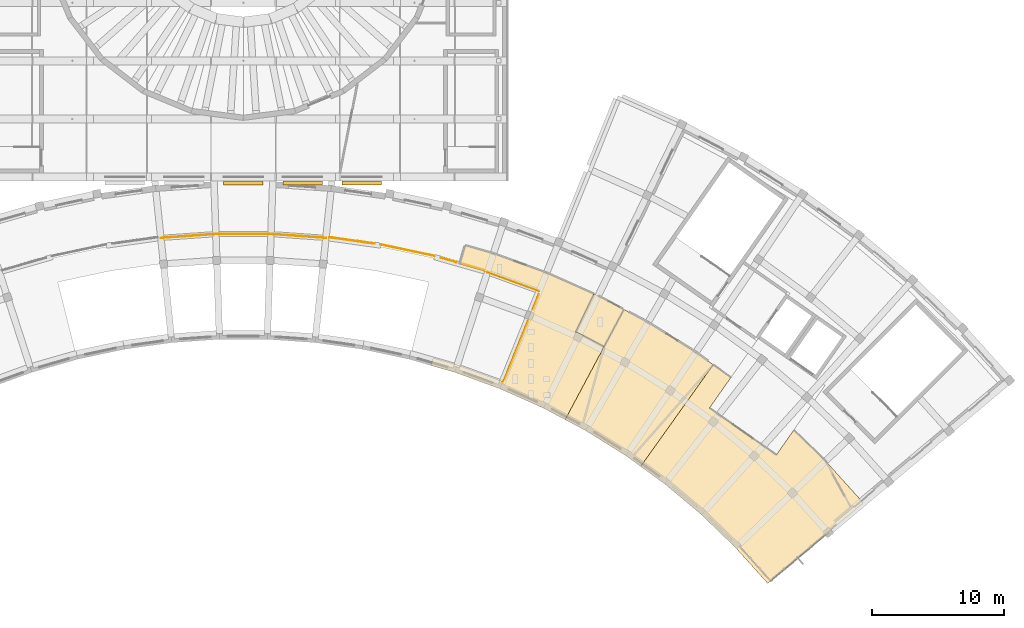
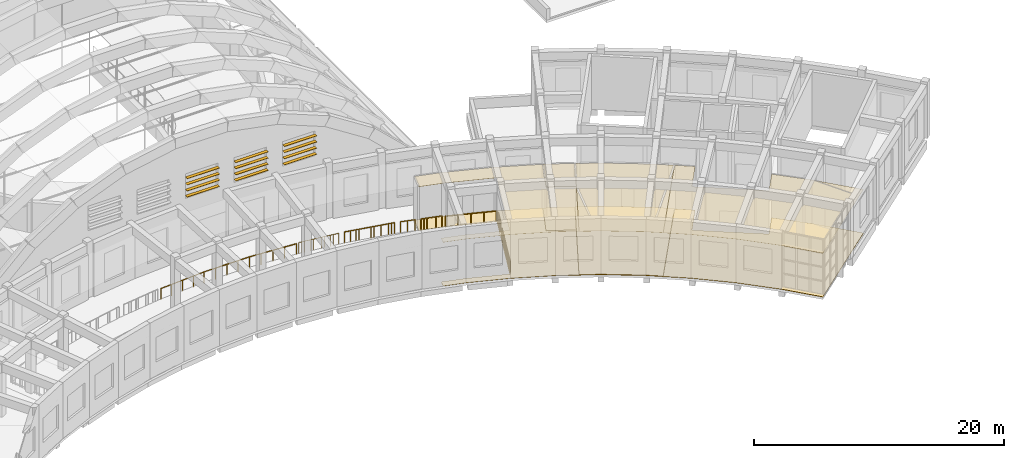
# One storey, part 85 of 94: 12 shading devices, 8 coverings, 8 railings.
"""IFC4 building model written with IfcOpenShell, lengths in metres."""

from ifc_helpers import new_model, si_unit, direction, frame, origin, origin_2d, place, context, subcontext, project, spatial, polyline, rectangle, circle, outline, extrude, material, layer, layer_set, type_object, element, save


model = new_model("IFC4")

# Units and contexts
model_context = context("Model", 3, precision=1e-05, world=origin(), true_north=direction((0.0, 1.0)))
body_context = subcontext(model_context, "Body", "Model", "MODEL_VIEW")
ifc_project = project(units=[si_unit("LENGTHUNIT", "METRE"), si_unit("AREAUNIT", "SQUARE_METRE"), si_unit("VOLUMEUNIT", "CUBIC_METRE"), si_unit("PLANEANGLEUNIT", "RADIAN"), si_unit("MASSUNIT", "GRAM", prefix="KILO")], contexts=[model_context])

# Site, building, storey
site_placement = place(None, origin())
site = spatial("IfcSite", under=ifc_project, at=site_placement, CompositionType="ELEMENT")
building_placement = place(site_placement, origin())
building = spatial("IfcBuilding", under=site, at=building_placement, Name="Lunette Opera House", CompositionType="ELEMENT")
storey_placement = place(building_placement, frame((0.0, 0.0, 22.5)))
storey = spatial("IfcBuildingStorey", under=building, at=storey_placement, Name="L04", CompositionType="ELEMENT", Elevation=22.5)

# Railings
ifc_material_1 = material(Name="Steel S355", Category="steel")
railing_type_1 = type_object("IfcRailingType", Name="DECK GUARD 1100", PredefinedType="GUARDRAIL", material=ifc_material_1)
railing_1_placement = place(storey_placement, frame((102.527099609375, 59.716064453125, 0.0)))
element("IfcRailing", 1, at=railing_1_placement, inside=storey, type_object=railing_type_1, Name="Deck guard 036", PredefinedType="GUARDRAIL", context=body_context, shape_type="SweptSolid", body=[
    extrude(circle(Radius=0.02392578125, at=origin_2d()), frame((0.0, 0.0, 1.076171875), z_axis=(0.990322681068, -0.138783959309, 0.0), x_axis=(0.138783959309, 0.990322681068, 0.0)), (0.0, 0.0, 1.0), 0.246337890625),
    extrude(circle(Radius=0.02392578125, at=origin_2d()), frame((0.243896484375, -0.0341796875, 1.076171875), z_axis=(0.989909818752, -0.141698802884, 0.0), x_axis=(0.141698802884, 0.989909818752, 0.0)), (0.0, 0.0, 1.0), 0.246337890625),
    extrude(circle(Radius=0.02392578125, at=origin_2d()), frame((0.48779296875, -0.069091796875, 1.076171875), z_axis=(0.990467877374, -0.137743906908, 0.0), x_axis=(0.137743906908, 0.990467877374, 0.0)), (0.0, 0.0, 1.0), 0.49267578125),
    extrude(circle(Radius=0.02392578125, at=origin_2d()), frame((0.975830078125, -0.136962890625, 1.076171875), z_axis=(0.989790506483, -0.142529832934, 0.0), x_axis=(0.142529832934, 0.989790506483, 0.0)), (0.0, 0.0, 1.0), 0.24658203125),
    extrude(circle(Radius=0.02392578125, at=origin_2d()), frame((1.219970703125, -0.172119140625, 1.076171875), z_axis=(0.990419611364, -0.138090526201, 0.0), x_axis=(0.138090526201, 0.990419611364, 0.0)), (0.0, 0.0, 1.0), 0.739013671875),
    extrude(circle(Radius=0.02392578125, at=origin_2d()), frame((1.951904296875, -0.274169921875, 1.076171875), z_axis=(0.989909818752, -0.141698802884, 0.0), x_axis=(0.141698802884, 0.989909818752, 0.0)), (0.0, 0.0, 1.0), 0.246337890625),
    extrude(circle(Radius=0.02392578125, at=origin_2d()), frame((2.19580078125, -0.30908203125, 1.076171875), z_axis=(0.990430162502, -0.138014829662, 0.0), x_axis=(0.138014829662, 0.990430162502, 0.0)), (0.0, 0.0, 1.0), 0.49169921875),
    extrude(circle(Radius=0.02392578125, at=origin_2d()), frame((2.682861328125, -0.376953125, 1.076171875), z_axis=(0.989790506483, -0.142529832934, 0.0), x_axis=(0.142529832934, 0.989790506483, 0.0)), (0.0, 0.0, 1.0), 0.24658203125),
    extrude(circle(Radius=0.02392578125, at=origin_2d()), frame((2.927001953125, -0.412109375, 1.076171875), z_axis=(0.990458469485, -0.137811538797, 0.0), x_axis=(0.137811538797, 0.990458469485, 0.0)), (0.0, 0.0, 1.0), 0.492431640625),
    extrude(circle(Radius=0.02099609375, at=origin_2d()), origin(), (0.0, 0.0, 1.0), 1.052001953125),
    extrude(circle(Radius=0.02099609375, at=origin_2d()), frame((0.243896484375, -0.0341796875, 0.0)), (0.0, 0.0, 1.0), 1.052001953125),
    extrude(circle(Radius=0.02099609375, at=origin_2d()), frame((0.48779296875, -0.069091796875, 0.0)), (0.0, 0.0, 1.0), 1.052001953125),
    extrude(circle(Radius=0.02099609375, at=origin_2d()), frame((0.975830078125, -0.136962890625, 0.0)), (0.0, 0.0, 1.0), 1.052001953125),
    extrude(circle(Radius=0.02099609375, at=origin_2d()), frame((1.219970703125, -0.172119140625, 0.0)), (0.0, 0.0, 1.0), 1.052001953125),
    extrude(circle(Radius=0.02099609375, at=origin_2d()), frame((1.951904296875, -0.274169921875, 0.0)), (0.0, 0.0, 1.0), 1.052001953125),
    extrude(circle(Radius=0.02099609375, at=origin_2d()), frame((2.19580078125, -0.30908203125, 0.0)), (0.0, 0.0, 1.0), 1.052001953125),
    extrude(circle(Radius=0.02099609375, at=origin_2d()), frame((2.682861328125, -0.376953125, 0.0)), (0.0, 0.0, 1.0), 1.052001953125),
    extrude(circle(Radius=0.02099609375, at=origin_2d()), frame((2.927001953125, -0.412109375, 0.0)), (0.0, 0.0, 1.0), 1.052001953125),
    extrude(circle(Radius=0.02099609375, at=origin_2d()), frame((3.414794921875, -0.47998046875, 0.0)), (0.0, 0.0, 1.0), 1.052001953125),
])
railing_2_placement = place(storey_placement, frame((106.43603515625, 59.166015625, 0.0)))
element("IfcRailing", 2, at=railing_2_placement, inside=storey, type_object=railing_type_1, Name="Deck guard 037", PredefinedType="GUARDRAIL", context=body_context, shape_type="SweptSolid", body=[
    extrude(circle(Radius=0.02392578125, at=origin_2d()), frame((0.0, 0.0, 1.076171875), z_axis=(0.978307227907, -0.207159281289, 0.0), x_axis=(0.207159281289, 0.978307227907, 0.0)), (0.0, 0.0, 1.0), 0.49267578125),
    extrude(circle(Radius=0.02392578125, at=origin_2d()), frame((0.48193359375, -0.10205078125, 1.076171875), z_axis=(0.978221905778, -0.207561805388, 0.0), x_axis=(0.207561805388, 0.978221905778, 0.0)), (0.0, 0.0, 1.0), 0.49169921875),
    extrude(circle(Radius=0.02392578125, at=origin_2d()), frame((0.962890625, -0.2041015625, 1.076171875), z_axis=(0.977497024317, -0.210949205856, 0.0), x_axis=(0.210949205856, 0.977497024317, 0.0)), (0.0, 0.0, 1.0), 0.24658203125),
    extrude(circle(Radius=0.02392578125, at=origin_2d()), frame((1.203857421875, -0.256103515625, 1.076171875), z_axis=(0.978368028458, -0.206871943217, 0.0), x_axis=(0.206871943217, 0.978368028458, 0.0)), (0.0, 0.0, 1.0), 0.9853515625),
    extrude(circle(Radius=0.02392578125, at=origin_2d()), frame((2.16796875, -0.4599609375, 1.076171875), z_axis=(0.977497024317, -0.210949205856, 0.0), x_axis=(0.210949205856, 0.977497024317, 0.0)), (0.0, 0.0, 1.0), 0.24658203125),
    extrude(circle(Radius=0.02392578125, at=origin_2d()), frame((2.408935546875, -0.511962890625, 1.076171875), z_axis=(0.978315732834, -0.207119112806, 0.0), x_axis=(0.207119112806, 0.978315732834, 0.0)), (0.0, 0.0, 1.0), 1.231689453125),
    extrude(circle(Radius=0.02392578125, at=origin_2d()), frame((3.614013671875, -0.76708984375, 1.076171875), z_axis=(0.977497024317, -0.210949205856, 0.0), x_axis=(0.210949205856, 0.977497024317, 0.0)), (0.0, 0.0, 1.0), 0.24658203125),
    extrude(circle(Radius=0.02392578125, at=origin_2d()), frame((3.85498046875, -0.819091796875, 1.076171875), z_axis=(0.978395032958, -0.206744188512, 0.0), x_axis=(0.206744188512, 0.978395032958, 0.0)), (0.0, 0.0, 1.0), 0.25146484375),
    extrude(circle(Radius=0.02099609375, at=origin_2d()), origin(), (0.0, 0.0, 1.0), 1.052001953125),
    extrude(circle(Radius=0.02099609375, at=origin_2d()), frame((0.48193359375, -0.10205078125, 0.0)), (0.0, 0.0, 1.0), 1.052001953125),
    extrude(circle(Radius=0.02099609375, at=origin_2d()), frame((0.962890625, -0.2041015625, 0.0)), (0.0, 0.0, 1.0), 1.052001953125),
    extrude(circle(Radius=0.02099609375, at=origin_2d()), frame((1.203857421875, -0.256103515625, 0.0)), (0.0, 0.0, 1.0), 1.052001953125),
    extrude(circle(Radius=0.02099609375, at=origin_2d()), frame((2.16796875, -0.4599609375, 0.0)), (0.0, 0.0, 1.0), 1.052001953125),
    extrude(circle(Radius=0.02099609375, at=origin_2d()), frame((2.408935546875, -0.511962890625, 0.0)), (0.0, 0.0, 1.0), 1.052001953125),
    extrude(circle(Radius=0.02099609375, at=origin_2d()), frame((3.011474609375, -0.6396484375, 0.0)), (0.0, 0.0, 1.0), 1.052001953125),
    extrude(circle(Radius=0.02099609375, at=origin_2d()), frame((3.614013671875, -0.76708984375, 0.0)), (0.0, 0.0, 1.0), 1.052001953125),
    extrude(circle(Radius=0.02099609375, at=origin_2d()), frame((3.85498046875, -0.819091796875, 0.0)), (0.0, 0.0, 1.0), 1.052001953125),
    extrude(circle(Radius=0.02099609375, at=origin_2d()), frame((4.10107421875, -0.87109375, 0.0)), (0.0, 0.0, 1.0), 1.052001953125),
])
railing_3_placement = place(storey_placement, frame((111.010986328125, 58.158935546875, 0.0)))
element("IfcRailing", 3, at=railing_3_placement, inside=storey, type_object=railing_type_1, Name="Deck guard 038", PredefinedType="GUARDRAIL", context=body_context, shape_type="SweptSolid", body=[
    extrude(circle(Radius=0.02392578125, at=origin_2d()), frame((0.0, 0.0, 1.076171875), z_axis=(0.961194197038, -0.275872643769, 0.0), x_axis=(0.275872643769, 0.961194197038, 0.0)), (0.0, 0.0, 1.0), 1.23193359375),
    extrude(circle(Radius=0.02099609375, at=origin_2d()), origin(), (0.0, 0.0, 1.0), 1.052001953125),
    extrude(circle(Radius=0.02099609375, at=origin_2d()), frame((0.592041015625, -0.169921875, 0.0)), (0.0, 0.0, 1.0), 1.052001953125),
    extrude(circle(Radius=0.02099609375, at=origin_2d()), frame((1.18408203125, -0.33984375, 0.0)), (0.0, 0.0, 1.0), 1.052001953125),
])
railing_4_placement = place(storey_placement, frame((112.66796875, 57.68310546875, 0.0)))
element("IfcRailing", 4, at=railing_4_placement, inside=storey, type_object=railing_type_1, Name="Deck guard 039", PredefinedType="GUARDRAIL", context=body_context, shape_type="SweptSolid", body=[
    extrude(circle(Radius=0.02392578125, at=origin_2d()), frame((0.0, 0.0, 1.076171875), z_axis=(0.961112004987, -0.276158856222, 0.0), x_axis=(0.276158856222, 0.961112004987, 0.0)), (0.0, 0.0, 1.0), 0.24658203125),
    extrude(circle(Radius=0.02392578125, at=origin_2d()), frame((0.237060546875, -0.068115234375, 1.076171875), z_axis=(0.96241646915, -0.2715778708, 0.0), x_axis=(0.2715778708, 0.96241646915, 0.0)), (0.0, 0.0, 1.0), 0.246337890625),
    extrude(circle(Radius=0.02392578125, at=origin_2d()), frame((0.47412109375, -0.135009765625, 1.076171875), z_axis=(0.961174415791, -0.275941556182, 0.0), x_axis=(0.275941556182, 0.961174415791, 0.0)), (0.0, 0.0, 1.0), 0.73974609375),
    extrude(circle(Radius=0.02392578125, at=origin_2d()), frame((1.18505859375, -0.339111328125, 1.076171875), z_axis=(0.961054480159, -0.276358980614, 0.0), x_axis=(0.276358980614, 0.961054480159, 0.0)), (0.0, 0.0, 1.0), 0.491943359375),
    extrude(circle(Radius=0.02099609375, at=origin_2d()), origin(), (0.0, 0.0, 1.0), 1.052001953125),
    extrude(circle(Radius=0.02099609375, at=origin_2d()), frame((0.237060546875, -0.068115234375, 0.0)), (0.0, 0.0, 1.0), 1.052001953125),
    extrude(circle(Radius=0.02099609375, at=origin_2d()), frame((0.47412109375, -0.135009765625, 0.0)), (0.0, 0.0, 1.0), 1.052001953125),
    extrude(circle(Radius=0.02099609375, at=origin_2d()), frame((1.18505859375, -0.339111328125, 0.0)), (0.0, 0.0, 1.0), 1.052001953125),
    extrude(circle(Radius=0.02099609375, at=origin_2d()), frame((1.657958984375, -0.47509765625, 0.0)), (0.0, 0.0, 1.0), 1.052001953125),
])
railing_5_placement = place(storey_placement, frame((118.4580078125, 55.3720703125, 0.0)))
element("IfcRailing", 5, at=railing_5_placement, inside=storey, type_object=railing_type_1, Name="Deck guard 040", PredefinedType="GUARDRAIL", context=body_context, shape_type="SweptSolid", body=[
    extrude(circle(Radius=0.02392578125, at=origin_2d()), frame((0.0, 0.0, 1.076171875), z_axis=(-0.377706221715, -0.925925488405, 0.0), x_axis=(0.925925488405, -0.377706221715, 0.0)), (0.0, 0.0, 1.0), 0.246337890625),
    extrude(circle(Radius=0.02392578125, at=origin_2d()), frame((-0.093017578125, -0.22802734375, 1.076171875), z_axis=(-0.372925120859, -0.92786144129, 0.0), x_axis=(0.92786144129, -0.372925120859, 0.0)), (0.0, 0.0, 1.0), 0.49365234375),
    extrude(circle(Radius=0.02392578125, at=origin_2d()), frame((-0.277099609375, -0.68603515625, 1.076171875), z_axis=(-0.377706221715, -0.925925488405, 0.0), x_axis=(0.925925488405, -0.377706221715, 0.0)), (0.0, 0.0, 1.0), 0.246337890625),
    extrude(circle(Radius=0.02392578125, at=origin_2d()), frame((-0.3701171875, -0.9140625, 1.076171875), z_axis=(-0.372073028394, -0.928203459131, 0.0), x_axis=(0.928203459131, -0.372073028394, 0.0)), (0.0, 0.0, 1.0), 0.246826171875),
    extrude(circle(Radius=0.02099609375, at=origin_2d()), origin(), (0.0, 0.0, 1.0), 1.052001953125),
    extrude(circle(Radius=0.02099609375, at=origin_2d()), frame((-0.093017578125, -0.22802734375, 0.0)), (0.0, 0.0, 1.0), 1.052001953125),
    extrude(circle(Radius=0.02099609375, at=origin_2d()), frame((-0.277099609375, -0.68603515625, 0.0)), (0.0, 0.0, 1.0), 1.052001953125),
    extrude(circle(Radius=0.02099609375, at=origin_2d()), frame((-0.3701171875, -0.9140625, 0.0)), (0.0, 0.0, 1.0), 1.052001953125),
    extrude(circle(Radius=0.02099609375, at=origin_2d()), frame((-0.4619140625, -1.14306640625, 0.0)), (0.0, 0.0, 1.0), 1.052001953125),
])
railing_6_placement = place(storey_placement, frame((117.6259765625, 53.31396484375, 0.0)))
element("IfcRailing", 6, at=railing_6_placement, inside=storey, type_object=railing_type_1, Name="Deck guard 041", PredefinedType="GUARDRAIL", context=body_context, shape_type="SweptSolid", body=[
    extrude(circle(Radius=0.02392578125, at=origin_2d()), frame((0.0, 0.0, 1.076171875), z_axis=(-0.372925120859, -0.92786144129, 0.0), x_axis=(0.92786144129, -0.372925120859, 0.0)), (0.0, 0.0, 1.0), 0.246826171875),
    extrude(circle(Radius=0.02392578125, at=origin_2d()), frame((-0.092041015625, -0.22900390625, 1.076171875), z_axis=(-0.377706221715, -0.925925488405, 0.0), x_axis=(0.925925488405, -0.377706221715, 0.0)), (0.0, 0.0, 1.0), 0.246337890625),
    extrude(circle(Radius=0.02392578125, at=origin_2d()), frame((-0.18505859375, -0.45703125, 1.076171875), z_axis=(-0.372499192388, -0.928032516494, 0.0), x_axis=(0.928032516494, -0.372499192388, 0.0)), (0.0, 0.0, 1.0), 0.493408203125),
    extrude(circle(Radius=0.02392578125, at=origin_2d()), frame((-0.368896484375, -0.9150390625, 1.076171875), z_axis=(-0.377706221715, -0.925925488405, 0.0), x_axis=(0.925925488405, -0.377706221715, 0.0)), (0.0, 0.0, 1.0), 0.246337890625),
    extrude(circle(Radius=0.02392578125, at=origin_2d()), frame((-0.4619140625, -1.14306640625, 1.076171875), z_axis=(-0.372925120859, -0.92786144129, 0.0), x_axis=(0.92786144129, -0.372925120859, 0.0)), (0.0, 0.0, 1.0), 0.246826171875),
    extrude(circle(Radius=0.02392578125, at=origin_2d()), frame((-0.553955078125, -1.3720703125, 1.076171875), z_axis=(-0.376324058461, -0.926488101933, 0.0), x_axis=(0.926488101933, -0.376324058461, 0.0)), (0.0, 0.0, 1.0), 0.2470703125),
    extrude(circle(Radius=0.02392578125, at=origin_2d()), frame((-0.64697265625, -1.60107421875, 1.076171875), z_axis=(-0.373782636137, -0.927516329194, 0.0), x_axis=(0.927516329194, -0.373782636137, 0.0)), (0.0, 0.0, 1.0), 0.492431640625),
    extrude(circle(Radius=0.02392578125, at=origin_2d()), frame((-0.8310546875, -2.057861328125, 1.076171875), z_axis=(-0.376324058461, -0.926488101933, 0.0), x_axis=(0.926488101933, -0.376324058461, 0.0)), (0.0, 0.0, 1.0), 0.2470703125),
    extrude(circle(Radius=0.02392578125, at=origin_2d()), frame((-0.924072265625, -2.286865234375, 1.076171875), z_axis=(-0.372073028394, -0.928203459131, 0.0), x_axis=(0.928203459131, -0.372073028394, 0.0)), (0.0, 0.0, 1.0), 0.246826171875),
    extrude(circle(Radius=0.02392578125, at=origin_2d()), frame((-1.015869140625, -2.515869140625, 1.076171875), z_axis=(-0.377706221715, -0.925925488405, 0.0), x_axis=(0.925925488405, -0.377706221715, 0.0)), (0.0, 0.0, 1.0), 0.246337890625),
    extrude(circle(Radius=0.02392578125, at=origin_2d()), frame((-1.10888671875, -2.743896484375, 1.076171875), z_axis=(-0.372925120859, -0.92786144129, 0.0), x_axis=(0.92786144129, -0.372925120859, 0.0)), (0.0, 0.0, 1.0), 0.49365234375),
    extrude(circle(Radius=0.02392578125, at=origin_2d()), frame((-1.29296875, -3.201904296875, 1.076171875), z_axis=(-0.377706221715, -0.925925488405, 0.0), x_axis=(0.925925488405, -0.377706221715, 0.0)), (0.0, 0.0, 1.0), 0.246337890625),
    extrude(circle(Radius=0.02392578125, at=origin_2d()), frame((-1.385986328125, -3.429931640625, 1.076171875), z_axis=(-0.372925120859, -0.92786144129, 0.0), x_axis=(0.92786144129, -0.372925120859, 0.0)), (0.0, 0.0, 1.0), 0.246826171875),
    extrude(circle(Radius=0.02392578125, at=origin_2d()), frame((-1.47802734375, -3.658935546875, 1.076171875), z_axis=(-0.376324058461, -0.926488101933, 0.0), x_axis=(0.926488101933, -0.376324058461, 0.0)), (0.0, 0.0, 1.0), 0.2470703125),
    extrude(circle(Radius=0.02392578125, at=origin_2d()), frame((-1.571044921875, -3.887939453125, 1.076171875), z_axis=(-0.373184384951, -0.927757196053, 0.0), x_axis=(0.927757196053, -0.373184384951, 0.0)), (0.0, 0.0, 1.0), 0.49267578125),
    extrude(circle(Radius=0.02392578125, at=origin_2d()), frame((-1.7548828125, -4.344970703125, 1.076171875), z_axis=(-0.578138397319, -0.815938719234, 0.0), x_axis=(0.815938719234, -0.578138397319, 0.0)), (0.0, 0.0, 1.0), 0.335693359375),
    extrude(circle(Radius=0.02099609375, at=origin_2d()), origin(), (0.0, 0.0, 1.0), 1.052001953125),
    extrude(circle(Radius=0.02099609375, at=origin_2d()), frame((-0.092041015625, -0.22900390625, 0.0)), (0.0, 0.0, 1.0), 1.052001953125),
    extrude(circle(Radius=0.02099609375, at=origin_2d()), frame((-0.18505859375, -0.45703125, 0.0)), (0.0, 0.0, 1.0), 1.052001953125),
    extrude(circle(Radius=0.02099609375, at=origin_2d()), frame((-0.368896484375, -0.9150390625, 0.0)), (0.0, 0.0, 1.0), 1.052001953125),
    extrude(circle(Radius=0.02099609375, at=origin_2d()), frame((-0.4619140625, -1.14306640625, 0.0)), (0.0, 0.0, 1.0), 1.052001953125),
    extrude(circle(Radius=0.02099609375, at=origin_2d()), frame((-0.553955078125, -1.3720703125, 0.0)), (0.0, 0.0, 1.0), 1.052001953125),
    extrude(circle(Radius=0.02099609375, at=origin_2d()), frame((-0.64697265625, -1.60107421875, 0.0)), (0.0, 0.0, 1.0), 1.052001953125),
    extrude(circle(Radius=0.02099609375, at=origin_2d()), frame((-0.8310546875, -2.057861328125, 0.0)), (0.0, 0.0, 1.0), 1.052001953125),
    extrude(circle(Radius=0.02099609375, at=origin_2d()), frame((-0.924072265625, -2.286865234375, 0.0)), (0.0, 0.0, 1.0), 1.052001953125),
    extrude(circle(Radius=0.02099609375, at=origin_2d()), frame((-1.015869140625, -2.515869140625, 0.0)), (0.0, 0.0, 1.0), 1.052001953125),
    extrude(circle(Radius=0.02099609375, at=origin_2d()), frame((-1.10888671875, -2.743896484375, 0.0)), (0.0, 0.0, 1.0), 1.052001953125),
    extrude(circle(Radius=0.02099609375, at=origin_2d()), frame((-1.29296875, -3.201904296875, 0.0)), (0.0, 0.0, 1.0), 1.052001953125),
    extrude(circle(Radius=0.02099609375, at=origin_2d()), frame((-1.385986328125, -3.429931640625, 0.0)), (0.0, 0.0, 1.0), 1.052001953125),
    extrude(circle(Radius=0.02099609375, at=origin_2d()), frame((-1.47802734375, -3.658935546875, 0.0)), (0.0, 0.0, 1.0), 1.052001953125),
    extrude(circle(Radius=0.02099609375, at=origin_2d()), frame((-1.571044921875, -3.887939453125, 0.0)), (0.0, 0.0, 1.0), 1.052001953125),
    extrude(circle(Radius=0.02099609375, at=origin_2d()), frame((-1.7548828125, -4.344970703125, 0.0)), (0.0, 0.0, 1.0), 1.052001953125),
    extrude(circle(Radius=0.02099609375, at=origin_2d()), frame((-1.948974609375, -4.618896484375, 0.0)), (0.0, 0.0, 1.0), 1.052001953125),
])
ifc_material_2 = material(Name="Steel S355", Category="steel")
railing_type_2 = type_object("IfcRailingType", Name="OPENING GUARD 1100", PredefinedType="GUARDRAIL", material=ifc_material_2)
railing_7_placement = place(storey_placement, frame((89.72802734375, 59.6708984375, 0.0)))
element("IfcRailing", 7, at=railing_7_placement, inside=storey, type_object=railing_type_2, Name="Floor opening guard", PredefinedType="GUARDRAIL", context=body_context, shape_type="SweptSolid", body=[
    extrude(circle(Radius=0.02392578125, at=origin_2d()), frame((0.0, 0.0, 1.076171875), z_axis=(0.997566716749, 0.069718330698, 0.0), x_axis=(-0.069718330698, 0.997566716749, 0.0)), (0.0, 0.0, 1.0), 4.188232421875),
    extrude(circle(Radius=0.02392578125, at=origin_2d()), frame((4.177978515625, 0.2919921875, 1.076171875), z_axis=(1.0, 0.0, 0.0), x_axis=(0.0, 1.0, 0.0)), (0.0, 0.0, 1.0), 4.18798828125),
    extrude(circle(Radius=0.02392578125, at=origin_2d()), frame((8.365966796875, 0.2919921875, 1.076171875), z_axis=(0.997566716749, -0.069718330698, 0.0), x_axis=(0.069718330698, 0.997566716749, 0.0)), (0.0, 0.0, 1.0), 4.188232421875),
    extrude(circle(Radius=0.02099609375, at=origin_2d()), origin(), (0.0, 0.0, 1.0), 1.052001953125),
    extrude(circle(Radius=0.02099609375, at=origin_2d()), frame((1.04443359375, 0.072998046875, 0.0)), (0.0, 0.0, 1.0), 1.052001953125),
    extrude(circle(Radius=0.02099609375, at=origin_2d()), frame((2.0888671875, 0.14599609375, 0.0)), (0.0, 0.0, 1.0), 1.052001953125),
    extrude(circle(Radius=0.02099609375, at=origin_2d()), frame((3.133544921875, 0.218994140625, 0.0)), (0.0, 0.0, 1.0), 1.052001953125),
    extrude(circle(Radius=0.02099609375, at=origin_2d()), frame((4.177978515625, 0.2919921875, 0.0)), (0.0, 0.0, 1.0), 1.052001953125),
    extrude(circle(Radius=0.02099609375, at=origin_2d()), frame((5.22509765625, 0.2919921875, 0.0)), (0.0, 0.0, 1.0), 1.052001953125),
    extrude(circle(Radius=0.02099609375, at=origin_2d()), frame((6.27197265625, 0.2919921875, 0.0)), (0.0, 0.0, 1.0), 1.052001953125),
    extrude(circle(Radius=0.02099609375, at=origin_2d()), frame((7.31884765625, 0.2919921875, 0.0)), (0.0, 0.0, 1.0), 1.052001953125),
    extrude(circle(Radius=0.02099609375, at=origin_2d()), frame((8.365966796875, 0.2919921875, 0.0)), (0.0, 0.0, 1.0), 1.052001953125),
    extrude(circle(Radius=0.02099609375, at=origin_2d()), frame((9.410400390625, 0.218994140625, 0.0)), (0.0, 0.0, 1.0), 1.052001953125),
    extrude(circle(Radius=0.02099609375, at=origin_2d()), frame((10.455078125, 0.14599609375, 0.0)), (0.0, 0.0, 1.0), 1.052001953125),
    extrude(circle(Radius=0.02099609375, at=origin_2d()), frame((11.49951171875, 0.072998046875, 0.0)), (0.0, 0.0, 1.0), 1.052001953125),
    extrude(circle(Radius=0.02099609375, at=origin_2d()), frame((12.5439453125, 0.0, 0.0)), (0.0, 0.0, 1.0), 1.052001953125),
])
railing_8_placement = place(storey_placement, frame((114.541015625, 57.06298828125, 0.0)))
element("IfcRailing", 8, at=railing_8_placement, inside=storey, type_object=railing_type_2, Name="Floor opening guard", PredefinedType="GUARDRAIL", context=body_context, shape_type="SweptSolid", body=[
    extrude(circle(Radius=0.02392578125, at=origin_2d()), frame((0.0, 0.0, 1.076171875), z_axis=(0.939720204592, -0.34194434793, 0.0), x_axis=(0.34194434793, 0.939720204592, 0.0)), (0.0, 0.0, 1.0), 4.1875),
    extrude(circle(Radius=0.02099609375, at=origin_2d()), origin(), (0.0, 0.0, 1.0), 1.052001953125),
    extrude(circle(Radius=0.02099609375, at=origin_2d()), frame((0.98388671875, -0.35791015625, 0.0)), (0.0, 0.0, 1.0), 1.052001953125),
    extrude(circle(Radius=0.02099609375, at=origin_2d()), frame((1.967529296875, -0.7158203125, 0.0)), (0.0, 0.0, 1.0), 1.052001953125),
    extrude(circle(Radius=0.02099609375, at=origin_2d()), frame((2.951171875, -1.073974609375, 0.0)), (0.0, 0.0, 1.0), 1.052001953125),
    extrude(circle(Radius=0.02099609375, at=origin_2d()), frame((3.93505859375, -1.431884765625, 0.0)), (0.0, 0.0, 1.0), 1.052001953125),
])

# Covering
ifc_material_3 = material(Name="Cement screed")
ifc_layer_1 = layer(ifc_material_3, 0.070068359375)
ifc_layer_set_1 = layer_set([ifc_layer_1], Name="Cement screed")
covering_type_1 = type_object("IfcCoveringType", Name="SCREED FLOOR FINISH 70", PredefinedType="FLOORING", material=ifc_layer_set_1)
covering_1_placement = place(storey_placement, origin())
element("IfcCovering", 9, at=covering_1_placement, inside=storey, type_object=covering_type_1, Name="Floor finish Restaurant Store", PredefinedType="FLOORING", context=body_context, shape_type="SweptSolid", body=[
    extrude(outline(polyline([(122.0, 45.032958984375), (120.447021484375, 45.85888671875), (124.9130859375, 54.237060546875), (126.75, 53.260986328125), (130.389892578125, 50.986083984375), (131.697998046875, 50.035888671875), (126.18408203125, 42.306884765625), (125.077880859375, 43.110107421875), (124.840087890625, 43.259033203125), (122.0, 45.032958984375)])), origin(), (0.0, 0.0, 1.0), 0.070068359375),
])

# Shading devices
ifc_material_4 = material(Name="Powder-coated aluminium", Category="aluminium")
ifc_layer_2 = layer(ifc_material_4, 0.0400390625)
ifc_layer_set_2 = layer_set([ifc_layer_2], Name="Powder-coated aluminium")
shading_device_type = type_object("IfcShadingDeviceType", Name="SOLAR LOUVRE BLADE 300", PredefinedType="JALOUSIE", material=ifc_layer_set_2)
for number, where, z_axis, x_axis, name in (
    (10, (96.0, 63.85009765625, 5.8798828125), (0.0, 0.0, 1.0), (0.0, -1.0, 0.0), "Sun louvre AU-N2015 1"),
    (11, (96.0, 63.85009765625, 6.47998046875), (0.0, 0.0, 1.0), (0.0, -1.0, 0.0), "Sun louvre AU-N2015 2"),
    (12, (96.0, 63.85009765625, 7.080078125), (0.0, 0.0, 1.0), (0.0, -1.0, 0.0), "Sun louvre AU-N2015 3"),
    (13, (96.0, 63.85009765625, 7.679931640625), (0.0, 0.0, 1.0), (0.0, -1.0, 0.0), "Sun louvre AU-N2015 4"),
    (14, (100.5, 63.85009765625, 5.8798828125), (0.0, 0.0, 1.0), (0.0, -1.0, 0.0), "Sun louvre AU-N2016 1"),
    (15, (100.5, 63.85009765625, 6.47998046875), (0.0, 0.0, 1.0), (0.0, -1.0, 0.0), "Sun louvre AU-N2016 2"),
    (16, (100.5, 63.85009765625, 7.080078125), (0.0, 0.0, 1.0), (0.0, -1.0, 0.0), "Sun louvre AU-N2016 3"),
    (17, (100.5, 63.85009765625, 7.679931640625), (0.0, 0.0, 1.0), (0.0, -1.0, 0.0), "Sun louvre AU-N2016 4"),
    (18, (105.0, 63.85009765625, 5.8798828125), (0.0, 0.0, 1.0), (0.0, -1.0, 0.0), "Sun louvre AU-N2017 1"),
    (19, (105.0, 63.85009765625, 6.47998046875), (0.0, 0.0, 1.0), (0.0, -1.0, 0.0), "Sun louvre AU-N2017 2"),
    (20, (105.0, 63.85009765625, 7.080078125), (0.0, 0.0, 1.0), (0.0, -1.0, 0.0), "Sun louvre AU-N2017 3"),
    (21, (105.0, 63.85009765625, 7.679931640625), (0.0, 0.0, 1.0), (0.0, -1.0, 0.0), "Sun louvre AU-N2017 4"),
):
    element("IfcShadingDevice", number, at=place(storey_placement, frame(where, z_axis=z_axis, x_axis=x_axis)), inside=storey, type_object=shading_device_type, Name=name, PredefinedType="JALOUSIE", context=body_context, shape_type="SweptSolid", body=[
        extrude(rectangle(XDim=0.300048828125, YDim=3.0, at=origin_2d()), origin(), (0.0, 0.0, 1.0), 0.0400390625),
    ])

# Coverings
ifc_material_5 = material(Name="Mineral fibre board")
ifc_layer_3 = layer(ifc_material_5, 0.014892578125)
ifc_layer_set_3 = layer_set([ifc_layer_3], Name="Mineral fibre board")
covering_type_2 = type_object("IfcCoveringType", Name="SUSPENDED ACOUSTIC CEILING 15", PredefinedType="CEILING", material=ifc_layer_set_3)
covering_2_placement = place(storey_placement, frame((0.0, 0.0, 4.284912109375)))
element("IfcCovering", 22, at=covering_2_placement, inside=storey, type_object=covering_type_2, Name="Ceiling Private Dining Room", PredefinedType="CEILING", context=body_context, shape_type="SweptSolid", body=[
    extrude(outline(polyline([(133.406005859375, 36.1220703125), (130.794921875, 38.64404296875), (128.013916015625, 40.97705078125), (126.18408203125, 42.306884765625), (131.697998046875, 50.035888671875), (133.0390625, 49.06103515625), (131.4140625, 46.739990234375), (136.491943359375, 43.18408203125), (137.81103515625, 45.06689453125), (140.239013671875, 42.720947265625), (143.112060546875, 39.531005859375), (139.1640625, 36.218994140625), (135.833984375, 33.425048828125), (134.14501953125, 35.302001953125), (133.406005859375, 36.1220703125)])), origin(), (0.0, 0.0, 1.0), 0.01513671875),
])
covering_3_placement = place(storey_placement, frame((0.0, 0.0, 4.284912109375)))
element("IfcCovering", 23, at=covering_3_placement, inside=storey, type_object=covering_type_2, Name="Ceiling Restaurant Store", PredefinedType="CEILING", context=body_context, shape_type="SweptSolid", body=[
    extrude(outline(polyline([(122.0, 45.032958984375), (120.447021484375, 45.85888671875), (124.9130859375, 54.237060546875), (126.75, 53.260986328125), (130.389892578125, 50.986083984375), (131.697998046875, 50.035888671875), (126.18408203125, 42.306884765625), (125.077880859375, 43.110107421875), (124.840087890625, 43.259033203125), (122.0, 45.032958984375)])), origin(), (0.0, 0.0, 1.0), 0.01513671875),
])
covering_4_placement = place(storey_placement, frame((0.0, 0.0, 4.284912109375)))
element("IfcCovering", 24, at=covering_4_placement, inside=storey, type_object=covering_type_2, Name="Ceiling Accessible WC L04", PredefinedType="CEILING", context=body_context, shape_type="SweptSolid", body=[
    extrude(outline(polyline([(122.9599609375, 55.27587890625), (123.844970703125, 54.804931640625), (124.9130859375, 54.237060546875), (123.408935546875, 51.4150390625), (121.556884765625, 52.39990234375), (121.2490234375, 52.537109375), (122.634033203125, 55.4208984375), (122.9599609375, 55.27587890625)])), origin(), (0.0, 0.0, 1.0), 0.01513671875),
])
covering_5_placement = place(storey_placement, frame((0.0, 0.0, 4.284912109375)))
element("IfcCovering", 25, at=covering_5_placement, inside=storey, type_object=covering_type_2, Name="Ceiling Public WC L04", PredefinedType="CEILING", context=body_context, shape_type="SweptSolid", body=[
    extrude(outline(polyline([(112.069091796875, 49.455078125), (111.343994140625, 49.6630859375), (110.24609375, 49.97802734375), (110.409912109375, 50.554931640625), (112.25390625, 50.02587890625), (115.7041015625, 48.77001953125), (118.47607421875, 55.631103515625), (114.541015625, 57.06298828125), (112.43701171875, 57.666015625), (112.847900390625, 59.10791015625), (115.0048828125, 58.489990234375), (119.0380859375, 57.02197265625), (122.634033203125, 55.4208984375), (121.2490234375, 52.537109375), (121.556884765625, 52.39990234375), (123.408935546875, 51.4150390625), (120.447021484375, 45.85888671875), (118.794921875, 46.737060546875), (117.47802734375, 47.323974609375), (115.47998046875, 48.214111328125), (112.069091796875, 49.455078125)])), origin(), (0.0, 0.0, 1.0), 0.01513671875),
])
ifc_material_6 = material(Name="Ceramic tile")
ifc_layer_4 = layer(ifc_material_6, 0.02490234375)
ifc_layer_set_4 = layer_set([ifc_layer_4], Name="Ceramic tile")
covering_type_3 = type_object("IfcCoveringType", Name="TILED FLOOR FINISH 25", PredefinedType="FLOORING", material=ifc_layer_set_4)
covering_6_placement = place(storey_placement, origin())
element("IfcCovering", 26, at=covering_6_placement, inside=storey, type_object=covering_type_3, Name="Floor finish Accessible WC L04", PredefinedType="FLOORING", context=body_context, shape_type="SweptSolid", body=[
    extrude(outline(polyline([(122.9599609375, 55.27587890625), (123.844970703125, 54.804931640625), (124.9130859375, 54.237060546875), (123.408935546875, 51.4150390625), (121.556884765625, 52.39990234375), (121.2490234375, 52.537109375), (122.634033203125, 55.4208984375), (122.9599609375, 55.27587890625)])), origin(), (0.0, 0.0, 1.0), 0.02490234375),
])
covering_7_placement = place(storey_placement, origin())
element("IfcCovering", 27, at=covering_7_placement, inside=storey, type_object=covering_type_3, Name="Floor finish Public WC L04", PredefinedType="FLOORING", context=body_context, shape_type="SweptSolid", body=[
    extrude(outline(polyline([(112.069091796875, 49.455078125), (111.343994140625, 49.6630859375), (110.24609375, 49.97802734375), (110.409912109375, 50.554931640625), (112.25390625, 50.02587890625), (115.7041015625, 48.77001953125), (118.47607421875, 55.631103515625), (114.541015625, 57.06298828125), (112.43701171875, 57.666015625), (112.847900390625, 59.10791015625), (115.0048828125, 58.489990234375), (119.0380859375, 57.02197265625), (122.634033203125, 55.4208984375), (121.2490234375, 52.537109375), (121.556884765625, 52.39990234375), (123.408935546875, 51.4150390625), (120.447021484375, 45.85888671875), (118.794921875, 46.737060546875), (117.47802734375, 47.323974609375), (115.47998046875, 48.214111328125), (112.069091796875, 49.455078125)])), origin(), (0.0, 0.0, 1.0), 0.02490234375),
])
ifc_material_7 = material(Name="Timber", Category="wood")
ifc_layer_5 = layer(ifc_material_7, 0.0400390625)
ifc_layer_set_5 = layer_set([ifc_layer_5], Name="Timber")
covering_type_4 = type_object("IfcCoveringType", Name="TIMBER FLOOR FINISH 40", PredefinedType="FLOORING", material=ifc_layer_set_5)
covering_8_placement = place(storey_placement, origin())
element("IfcCovering", 28, at=covering_8_placement, inside=storey, type_object=covering_type_4, Name="Floor finish Private Dining Room", PredefinedType="FLOORING", context=body_context, shape_type="SweptSolid", body=[
    extrude(outline(polyline([(133.406005859375, 36.1220703125), (130.794921875, 38.64404296875), (128.013916015625, 40.97705078125), (126.18408203125, 42.306884765625), (131.697998046875, 50.035888671875), (133.0390625, 49.06103515625), (131.4140625, 46.739990234375), (136.491943359375, 43.18408203125), (137.81103515625, 45.06689453125), (140.239013671875, 42.720947265625), (143.112060546875, 39.531005859375), (139.1640625, 36.218994140625), (135.833984375, 33.425048828125), (134.14501953125, 35.302001953125), (133.406005859375, 36.1220703125)])), origin(), (0.0, 0.0, 1.0), 0.0400390625),
])

save(model, "model.ifc")
